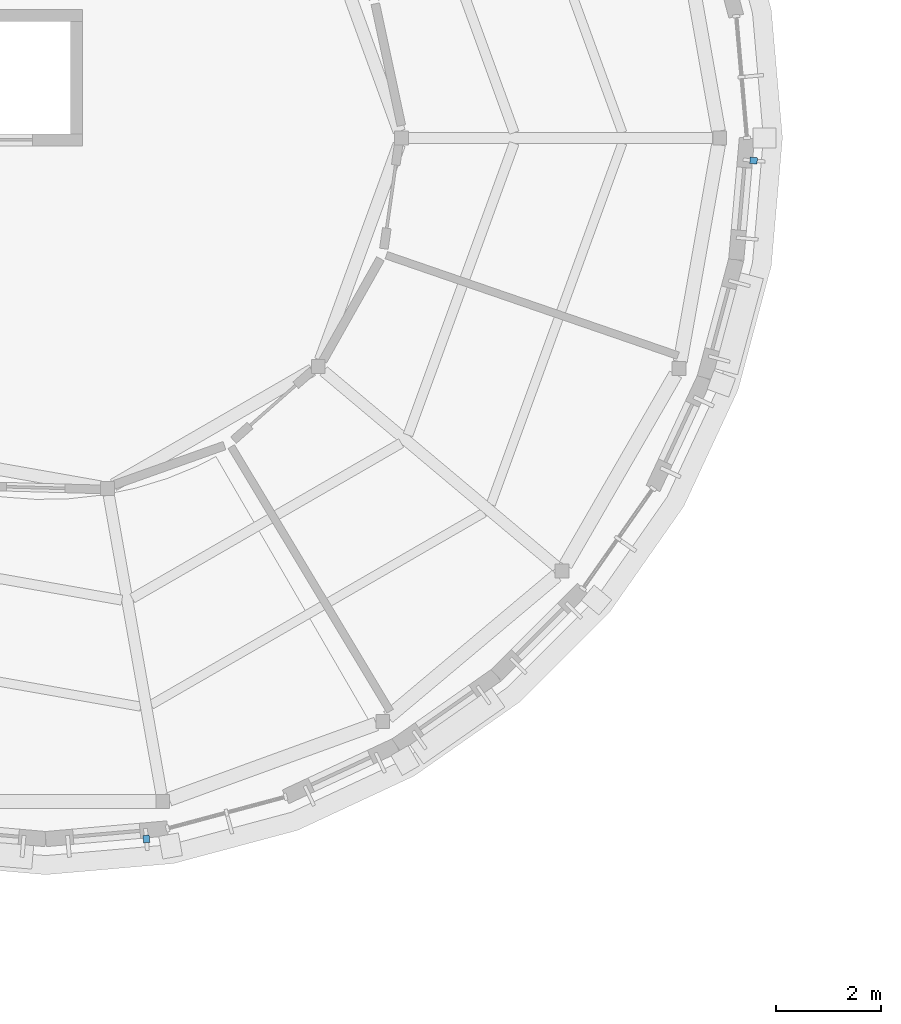
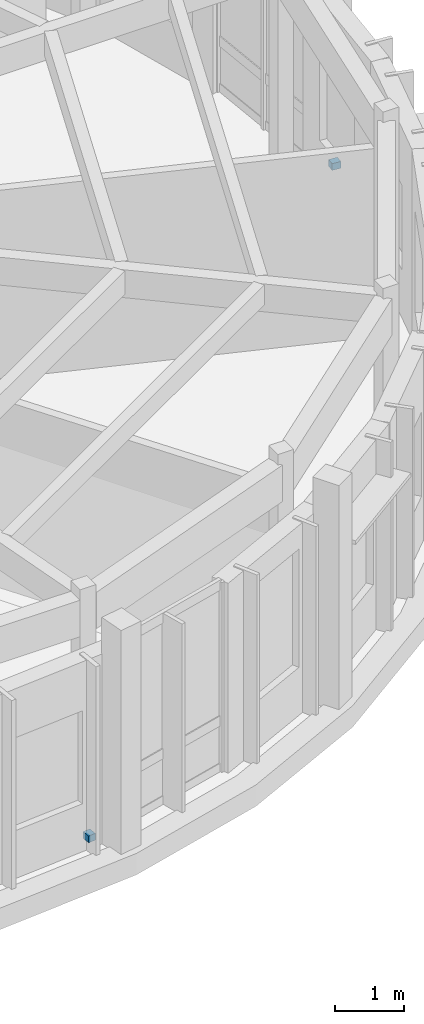
# One storey, part 24 of 30: 2 discrete accessories.
"""IFC4 building model written with IfcOpenShell, lengths in metres."""

from ifc_helpers import new_model, si_unit, direction, frame, origin, origin_2d, place, context, subcontext, project, spatial, rectangle, extrude, material, type_object, element, save


model = new_model("IFC4")

# Units and contexts
model_context = context("Model", 3, precision=1e-05, world=origin(), true_north=direction((0.0, 1.0)))
body_context = subcontext(model_context, "Body", "Model", "MODEL_VIEW")
ifc_project = project(units=[si_unit("LENGTHUNIT", "METRE"), si_unit("AREAUNIT", "SQUARE_METRE"), si_unit("VOLUMEUNIT", "CUBIC_METRE"), si_unit("PLANEANGLEUNIT", "RADIAN"), si_unit("MASSUNIT", "GRAM", prefix="KILO")], contexts=[model_context])

# Site, building, storey
site_placement = place(None, origin())
site = spatial("IfcSite", under=ifc_project, at=site_placement, CompositionType="ELEMENT")
building_placement = place(site_placement, origin())
building = spatial("IfcBuilding", under=site, at=building_placement, Name="Aldenvaro Health Centre", CompositionType="ELEMENT")
storey_placement = place(building_placement, frame((0.0, 0.0, 17.14990234375)))
storey = spatial("IfcBuildingStorey", under=building, at=storey_placement, Name="L04", CompositionType="ELEMENT", Elevation=17.14990234375)

# Discrete accessories
ifc_material = material(Name="Stainless Steel AISI 316", Category="steel")
discrete_accessory_type = type_object("IfcDiscreteAccessoryType", Name="ACC-BRK-01", PredefinedType="BRACKET", material=ifc_material)
for number, where, z_axis, x_axis, name in (
    (1, (32.028076171875, 99.06689453125, 0.18994140625), (0.0, 0.0, 1.0), (-0.087331575855, -0.996179299052, 0.0), "D4 L04 stainless fin bracket 1"),
    (2, (20.423095703125, 86.10302734375, 0.18994140625), (0.0, 0.0, 1.0), (-0.996179299052, -0.087331575855, 0.0), "D4 L04 stainless fin bracket 9"),
):
    element("IfcDiscreteAccessory", number, at=place(storey_placement, frame(where, z_axis=z_axis, x_axis=x_axis)), inside=storey, type_object=discrete_accessory_type, Name=name, PredefinedType="BRACKET", context=body_context, shape_type="SweptSolid", body=[
        extrude(rectangle(XDim=0.1201171875, YDim=0.139892578125, at=origin_2d()), origin(), (0.0, 0.0, 1.0), 0.1201171875),
    ])

save(model, "model.ifc")
